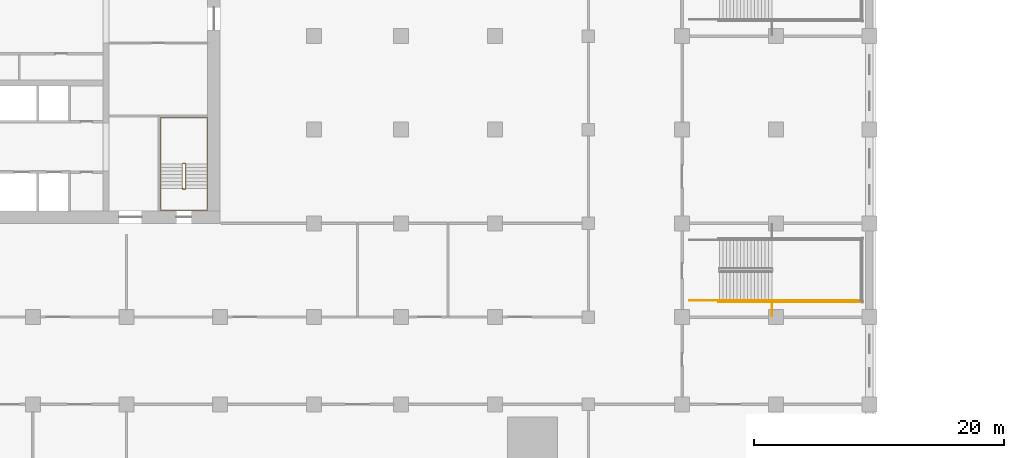
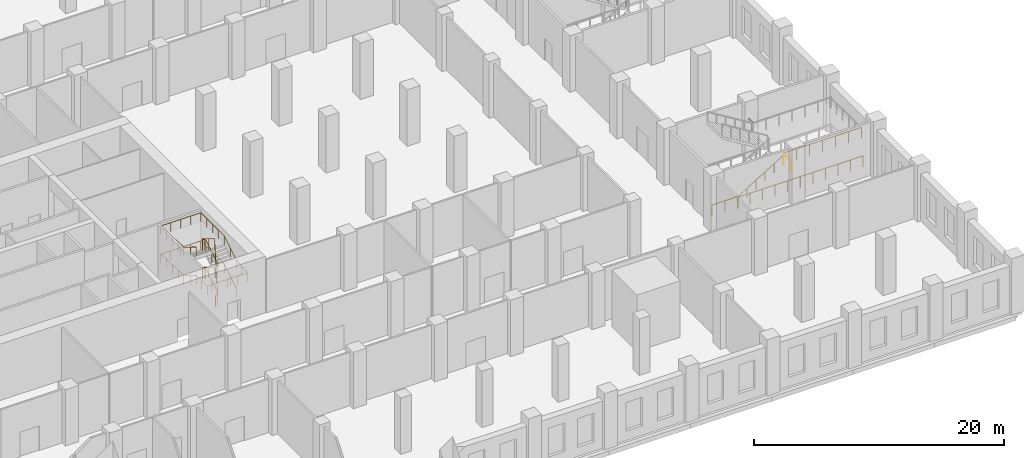
# One storey, part 21 of 25: 7 railings.
"""IFC4 building model written with IfcOpenShell, lengths in metres."""

import ifcopenshell
import ifcopenshell.guid

model = None  # the IFC model being written
_history = None  # IfcOwnerHistory: only IFC2X3 demands one
_inside = {}  # id of a spatial element -> (the spatial element, [elements in it])
_under = {}  # id of a project, library or spatial element -> (it, [spatial elements below it])
_declared = {}  # id of a project -> (the project, [libraries it declares])
_typed = {}  # id of a type object -> (the type object, [elements of that type])
_made_of = {}  # id of a material, layer set ... -> (it, [elements and type objects made of it])


def new_model(schema):
    """Start an empty IFC model of exactly this schema.

    Asked for "IFC4X3", IfcOpenShell would pick the latest addendum, in which some entities
    have other attributes; the version numbers below select the first issue.
    IFC2X3 requires an IfcOwnerHistory on every rooted entity: one is made here for all.
    """
    global model, _history
    if schema == "IFC4X3":
        model = ifcopenshell.file(schema_version=(4, 3, 0, 0))
    else:
        model = ifcopenshell.file(schema=schema)
    _inside.clear()
    _under.clear()
    _declared.clear()
    _typed.clear()
    _made_of.clear()
    _history = None
    if model.schema == "IFC2X3":
        org = make("IfcOrganization", Name="unknown")
        user = make(
            "IfcPersonAndOrganization",
            ThePerson=make("IfcPerson", FamilyName="unknown"),
            TheOrganization=org,
        )
        app = make(
            "IfcApplication",
            ApplicationDeveloper=org,
            Version="unknown",
            ApplicationFullName="unknown",
            ApplicationIdentifier="unknown",
        )
        _history = make(
            "IfcOwnerHistory",
            OwningUser=user,
            OwningApplication=app,
            ChangeAction="ADDED",
            CreationDate=0,
        )
    return model


def make(cls, **values):
    """One entity of the class cls with the attributes given. An attribute that is None is left unset."""
    return model.create_entity(
        cls, **{name: value for name, value in values.items() if value is not None}
    )


def rooted(cls, **values):
    """An entity with a GlobalId (a new one), such as an element, a storey or a relation."""
    return make(cls, GlobalId=ifcopenshell.guid.new(), OwnerHistory=_history, **values)


def si_unit(unit_type, name, prefix=None):
    """IfcSIUnit, for example si_unit("LENGTHUNIT", "METRE", prefix="MILLI")."""
    return make("IfcSIUnit", UnitType=unit_type, Prefix=prefix, Name=name)


def assignment(units):
    """IfcUnitAssignment: the units of a project."""
    return None if units is None else make("IfcUnitAssignment", Units=units)


def point(xyz):
    """IfcCartesianPoint."""
    return None if xyz is None else make("IfcCartesianPoint", Coordinates=xyz)


def direction(xyz):
    """IfcDirection."""
    return None if xyz is None else make("IfcDirection", DirectionRatios=xyz)


def frame(location, z_axis=None, x_axis=None):
    """IfcAxis2Placement3D, a coordinate frame: its origin and axes. An axis left out is left unset."""
    return make(
        "IfcAxis2Placement3D",
        Location=point(location),
        Axis=direction(z_axis),
        RefDirection=direction(x_axis),
    )


def frame_2d(location, x_axis=None):
    """IfcAxis2Placement2D, a coordinate frame in the plane: its origin and x axis."""
    return make(
        "IfcAxis2Placement2D", Location=point(location), RefDirection=direction(x_axis)
    )


def origin():
    """The frame at (0, 0, 0) with its axes left unset."""
    return frame((0.0, 0.0, 0.0))


def origin_2d():
    """The frame at (0, 0) in the plane with its x axis left unset."""
    return frame_2d((0.0, 0.0))


def place(relative_to, where):
    """IfcLocalPlacement: puts the frame where relative to a parent placement (None: the world)."""
    return make(
        "IfcLocalPlacement", PlacementRelTo=relative_to, RelativePlacement=where
    )


def context(
    kind, dimensions, precision=None, world=None, true_north=None, identifier=None
):
    """IfcGeometricRepresentationContext, for example the 3D "Model" context."""
    return make(
        "IfcGeometricRepresentationContext",
        ContextIdentifier=identifier,
        ContextType=kind,
        CoordinateSpaceDimension=dimensions,
        Precision=precision,
        WorldCoordinateSystem=world,
        TrueNorth=true_north,
    )


def subcontext(parent, identifier, kind, view, scale=None):
    """IfcGeometricRepresentationSubContext, for example "Body" below "Model"."""
    return make(
        "IfcGeometricRepresentationSubContext",
        ContextIdentifier=identifier,
        ContextType=kind,
        ParentContext=parent,
        TargetScale=scale,
        TargetView=view,
    )


def project(units=None, contexts=None):
    """IfcProject with its units and contexts."""
    return rooted(
        "IfcProject",
        Name="project",
        RepresentationContexts=contexts,
        UnitsInContext=assignment(units),
    )


def spatial(cls, under=None, at=None, **own):
    """A site, building, storey or space (cls), placed at a placement, below another one or the project."""
    s = rooted(cls, ObjectPlacement=at, **own)
    if under is not None:
        _under.setdefault(under.id(), (under, []))[1].append(s)
    return s


def profile(cls, at=None, kind="AREA", **sizes):
    """A parametric profile (cls). Its sizes go by their IFC names, for example OverallWidth=200.0."""
    return make(cls, ProfileType=kind, Position=at, **sizes)


def circle(**sizes):
    """IfcCircleProfileDef."""
    return profile("IfcCircleProfileDef", **sizes)


def extrude(swept, where, along, depth):
    """IfcExtrudedAreaSolid: the profile swept, set in the frame where, extruded along a direction by depth."""
    return make(
        "IfcExtrudedAreaSolid",
        SweptArea=swept,
        Position=where,
        ExtrudedDirection=direction(along),
        Depth=depth,
    )


def shape(context_of_items, identifier, shape_type, items):
    """IfcShapeRepresentation: the items that make up one representation, for example the "Body"."""
    return make(
        "IfcShapeRepresentation",
        ContextOfItems=context_of_items,
        RepresentationIdentifier=identifier,
        RepresentationType=shape_type,
        Items=items,
    )


def material(Name=None, Category=None):
    """IfcMaterial."""
    return make("IfcMaterial", Name=Name, Category=Category)


def made_of(thing, what):
    """Note that an element or type object is made of a material, layer set ...; save() writes the relation."""
    if what is not None:
        _made_of.setdefault(what.id(), (what, []))[1].append(thing)
    return thing


def type_object(cls, material=None, **own):
    """A type object (cls), such as IfcWallType, which elements share."""
    return made_of(rooted(cls, **own), material)


def element(
    cls,
    number,
    at=None,
    inside=None,
    cuts=None,
    type_object=None,
    material=None,
    context=None,
    identifier="Body",
    shape_type=None,
    held_by="IfcProductDefinitionShape",
    body=None,
    shapes=None,
    **own,
):
    """One element of the class cls, such as IfcWall. Its Tag is "e" and its number.

    at: its placement. inside: the storey or other place that contains it. cuts: it is an
    opening in that element (IfcRelVoidsElement). A single representation is given by context,
    identifier, shape_type and body (its items); several are given by shapes. held_by: the class
    of the entity that holds the representations. save() writes the other relations.
    """
    e = rooted(cls, Tag="e%d" % number, ObjectPlacement=at, **own)
    if body is not None:
        shapes = [shape(context, identifier, shape_type, body)]
    if shapes is not None:
        e.Representation = make(held_by, Representations=shapes)
    if inside is not None:
        _inside.setdefault(inside.id(), (inside, []))[1].append(e)
    if cuts is not None:
        rooted(
            "IfcRelVoidsElement", RelatingBuildingElement=cuts, RelatedOpeningElement=e
        )
    if type_object is not None:
        _typed.setdefault(type_object.id(), (type_object, []))[1].append(e)
    return made_of(e, material)


def aggregate(whole, parts):
    """IfcRelAggregates: a whole, such as a stair, and the parts it consists of."""
    return rooted("IfcRelAggregates", RelatingObject=whole, RelatedObjects=parts)


def save(model, path):
    """Write the relations noted so far, then the file.

    IfcRelAggregates (storeys below a building ...), IfcRelContainedInSpatialStructure (elements
    in a storey), IfcRelDefinesByType, IfcRelAssociatesMaterial and IfcRelDeclares: one each for
    every whole, place, type object, material and project.
    """
    for whole, parts in _under.values():
        aggregate(whole, parts)
    for where, things in _inside.values():
        rooted(
            "IfcRelContainedInSpatialStructure",
            RelatedElements=things,
            RelatingStructure=where,
        )
    for kind, things in _typed.values():
        rooted("IfcRelDefinesByType", RelatedObjects=things, RelatingType=kind)
    for what, things in _made_of.values():
        rooted("IfcRelAssociatesMaterial", RelatedObjects=things, RelatingMaterial=what)
    for by, libraries in _declared.values():
        rooted("IfcRelDeclares", RelatingContext=by, RelatedDefinitions=libraries)
    model.write(path)


model = new_model("IFC4")

# Units and contexts
model_context = context("Model", 3, precision=1e-05, world=origin(), true_north=direction((0.0, 1.0)))
body_context = subcontext(model_context, "Body", "Model", "MODEL_VIEW")
ifc_project = project(units=[si_unit("LENGTHUNIT", "METRE"), si_unit("AREAUNIT", "SQUARE_METRE"), si_unit("VOLUMEUNIT", "CUBIC_METRE"), si_unit("PLANEANGLEUNIT", "RADIAN"), si_unit("MASSUNIT", "GRAM", prefix="KILO")], contexts=[model_context])

# Site, building, storey
site_placement = place(None, origin())
site = spatial("IfcSite", under=ifc_project, at=site_placement, CompositionType="ELEMENT")
building_placement = place(site_placement, origin())
building = spatial("IfcBuilding", under=site, at=building_placement, Name="Tamorin Gate", CompositionType="ELEMENT")
storey_placement = place(building_placement, frame((0.0, 0.0, 23.5)))
storey = spatial("IfcBuildingStorey", under=building, at=storey_placement, Name="L04", CompositionType="ELEMENT", Elevation=23.5)

# Railings
ifc_material_1 = material(Name="Steel", Category="steel")
railing_type_1 = type_object("IfcRailingType", Name="Podium guard 1100", PredefinedType="GUARDRAIL", material=ifc_material_1)
railing_1_placement = place(storey_placement, frame((104.199951171875, 53.824951171875, 2.75)))
element("IfcRailing", 1, at=railing_1_placement, inside=storey, type_object=railing_type_1, Name="L04 PS3 stair guard 3", PredefinedType="GUARDRAIL", context=body_context, shape_type="SweptSolid", body=[
    extrude(circle(Radius=0.02392578125, at=origin_2d()), frame((0.0, 0.0, 1.076171875), z_axis=(1.0, 0.0, 0.0), x_axis=(0.0, 1.0, 0.0)), (0.0, 0.0, 1.0), 7.199951171875),
    extrude(circle(Radius=0.02099609375, at=origin_2d()), origin(), (0.0, 0.0, 1.0), 1.052001953125),
    extrude(circle(Radius=0.02099609375, at=origin_2d()), frame((1.199951171875, 0.0, 0.0)), (0.0, 0.0, 1.0), 1.052001953125),
    extrude(circle(Radius=0.02099609375, at=origin_2d()), frame((2.39990234375, 0.0, 0.0)), (0.0, 0.0, 1.0), 1.052001953125),
    extrude(circle(Radius=0.02099609375, at=origin_2d()), frame((3.60009765625, 0.0, 0.0)), (0.0, 0.0, 1.0), 1.052001953125),
    extrude(circle(Radius=0.02099609375, at=origin_2d()), frame((4.800048828125, 0.0, 0.0)), (0.0, 0.0, 1.0), 1.052001953125),
    extrude(circle(Radius=0.02099609375, at=origin_2d()), frame((6.0, 0.0, 0.0)), (0.0, 0.0, 1.0), 1.052001953125),
    extrude(circle(Radius=0.02099609375, at=origin_2d()), frame((7.199951171875, 0.0, 0.0)), (0.0, 0.0, 1.0), 1.052001953125),
])
railing_2_placement = place(storey_placement, frame((97.60009765625, 53.824951171875, 0.0)))
element("IfcRailing", 2, at=railing_2_placement, inside=storey, type_object=railing_type_1, Name="L04 PS3 stair guard 8", PredefinedType="GUARDRAIL", context=body_context, shape_type="SweptSolid", body=[
    extrude(circle(Radius=0.02392578125, at=origin_2d()), frame((0.0, 0.0, 1.076171875), z_axis=(1.0, 0.0, 0.0), x_axis=(0.0, 1.0, 0.0)), (0.0, 0.0, 1.0), 2.39990234375),
    extrude(circle(Radius=0.02099609375, at=origin_2d()), origin(), (0.0, 0.0, 1.0), 1.052001953125),
    extrude(circle(Radius=0.02099609375, at=origin_2d()), frame((1.199951171875, 0.0, 0.0)), (0.0, 0.0, 1.0), 1.052001953125),
    extrude(circle(Radius=0.02099609375, at=origin_2d()), frame((2.39990234375, 0.0, 0.0)), (0.0, 0.0, 1.0), 1.052001953125),
])
railing_3_placement = place(storey_placement, frame((99.89990234375, 53.72509765625, 0.0)))
element("IfcRailing", 3, at=railing_3_placement, inside=storey, type_object=railing_type_1, Name="L04 PS3 stair guard 10", PredefinedType="GUARDRAIL", context=body_context, shape_type="SweptSolid", body=[
    extrude(circle(Radius=0.02392578125, at=origin_2d()), frame((0.0, 0.0, 1.076171875), z_axis=(1.0, 0.0, 0.0), x_axis=(0.0, 1.0, 0.0)), (0.0, 0.0, 1.0), 11.60009765625),
    extrude(circle(Radius=0.02099609375, at=origin_2d()), origin(), (0.0, 0.0, 1.0), 1.052001953125),
    extrude(circle(Radius=0.02099609375, at=origin_2d()), frame((1.159912109375, 0.0, 0.0)), (0.0, 0.0, 1.0), 1.052001953125),
    extrude(circle(Radius=0.02099609375, at=origin_2d()), frame((2.320068359375, 0.0, 0.0)), (0.0, 0.0, 1.0), 1.052001953125),
    extrude(circle(Radius=0.02099609375, at=origin_2d()), frame((3.47998046875, 0.0, 0.0)), (0.0, 0.0, 1.0), 1.052001953125),
    extrude(circle(Radius=0.02099609375, at=origin_2d()), frame((4.64013671875, 0.0, 0.0)), (0.0, 0.0, 1.0), 1.052001953125),
    extrude(circle(Radius=0.02099609375, at=origin_2d()), frame((5.800048828125, 0.0, 0.0)), (0.0, 0.0, 1.0), 1.052001953125),
    extrude(circle(Radius=0.02099609375, at=origin_2d()), frame((6.9599609375, 0.0, 0.0)), (0.0, 0.0, 1.0), 1.052001953125),
    extrude(circle(Radius=0.02099609375, at=origin_2d()), frame((8.1201171875, 0.0, 0.0)), (0.0, 0.0, 1.0), 1.052001953125),
    extrude(circle(Radius=0.02099609375, at=origin_2d()), frame((9.280029296875, 0.0, 0.0)), (0.0, 0.0, 1.0), 1.052001953125),
    extrude(circle(Radius=0.02099609375, at=origin_2d()), frame((10.440185546875, 0.0, 0.0)), (0.0, 0.0, 1.0), 1.052001953125),
    extrude(circle(Radius=0.02099609375, at=origin_2d()), frame((11.60009765625, 0.0, 0.0)), (0.0, 0.0, 1.0), 1.052001953125),
])
railing_4_placement = place(storey_placement, frame((104.199951171875, 52.60009765625, 2.75)))
element("IfcRailing", 4, at=railing_4_placement, inside=storey, type_object=railing_type_1, Name="Landing edge guard", PredefinedType="GUARDRAIL", context=body_context, shape_type="SweptSolid", body=[
    extrude(circle(Radius=0.02392578125, at=origin_2d()), frame((0.0, 0.0, 1.076171875), z_axis=(0.0, 1.0, 0.0), x_axis=(-1.0, 0.0, 0.0)), (0.0, 0.0, 1.0), 1.1748046875),
    extrude(circle(Radius=0.02099609375, at=origin_2d()), origin(), (0.0, 0.0, 1.0), 1.052001953125),
    extrude(circle(Radius=0.02099609375, at=origin_2d()), frame((0.0, 1.1748046875, 0.0)), (0.0, 0.0, 1.0), 1.052001953125),
])
railing_type_2 = type_object("IfcRailingType", Name="Podium stair handrail 900", PredefinedType="HANDRAIL", material=ifc_material_1)
railing_5_placement = place(storey_placement, frame((100.0, 53.824951171875, 0.171875)))
element("IfcRailing", 5, at=railing_5_placement, inside=storey, type_object=railing_type_2, Name="L04 PS3 stair handrail 1", PredefinedType="HANDRAIL", context=body_context, shape_type="SweptSolid", body=[
    extrude(circle(Radius=0.02392578125, at=origin_2d()), frame((0.0, 0.0, 0.8759765625), z_axis=(0.852242915053, 0.0, 0.523146264196), x_axis=(0.0, 1.0, 0.0)), (0.0, 0.0, 1.0), 4.92822265625),
    extrude(circle(Radius=0.02099609375, at=origin_2d()), origin(), (0.0, 0.0, 1.0), 0.851806640625),
    extrude(circle(Radius=0.02099609375, at=origin_2d()), frame((0.840087890625, 0.0, 0.515625)), (0.0, 0.0, 1.0), 0.851806640625),
    extrude(circle(Radius=0.02099609375, at=origin_2d()), frame((1.679931640625, 0.0, 1.03125)), (0.0, 0.0, 1.0), 0.851806640625),
    extrude(circle(Radius=0.02099609375, at=origin_2d()), frame((2.52001953125, 0.0, 1.546875)), (0.0, 0.0, 1.0), 0.851806640625),
    extrude(circle(Radius=0.02099609375, at=origin_2d()), frame((3.35986328125, 0.0, 2.0625)), (0.0, 0.0, 1.0), 0.851806640625),
    extrude(circle(Radius=0.02099609375, at=origin_2d()), frame((4.199951171875, 0.0, 2.578125)), (0.0, 0.0, 1.0), 0.851806640625),
])
ifc_material_2 = material(Name="Painted steel balustrade", Category="steel")
railing_type_3 = type_object("IfcRailingType", Name="Stair guard 1100", PredefinedType="GUARDRAIL", material=ifc_material_2)
railing_6_placement = place(storey_placement, frame((57.25, 62.800048828125, 0.171875)))
element("IfcRailing", 6, at=railing_6_placement, inside=storey, type_object=railing_type_3, Name="L04 ST3 stair guard 1", PredefinedType="GUARDRAIL", context=body_context, shape_type="SweptSolid", body=[
    extrude(circle(Radius=0.02392578125, at=origin_2d()), frame((0.0, 0.0, 1.076171875), z_axis=(0.0, 0.852240978134, 0.523149419562), x_axis=(-1.0, 0.0, 0.0)), (0.0, 0.0, 1.0), 2.2998046875),
    extrude(circle(Radius=0.02392578125, at=origin_2d()), frame((0.0, 1.9599609375, 2.279296875), z_axis=(-0.707106781187, 0.707106781187, 0.0), x_axis=(-0.707106781187, -0.707106781187, 0.0)), (0.0, 0.0, 1.0), 0.07080078125),
    extrude(circle(Radius=0.02392578125, at=origin_2d()), frame((-0.050048828125, 2.010009765625, 2.279296875), z_axis=(-1.0, 0.0, 0.0), x_axis=(0.0, -1.0, 0.0)), (0.0, 0.0, 1.0), 0.199951171875),
    extrude(circle(Radius=0.02392578125, at=origin_2d()), frame((-0.25, 2.010009765625, 2.279296875), z_axis=(-0.269255725606, -0.269255725606, 0.92466356501), x_axis=(0.707106781187, -0.707106781187, 0.0)), (0.0, 0.0, 1.0), 0.185791015625),
    extrude(circle(Radius=0.02392578125, at=origin_2d()), frame((-0.300048828125, 1.9599609375, 2.451171875), z_axis=(0.0, -0.852240978134, 0.523149419562), x_axis=(1.0, 0.0, 0.0)), (0.0, 0.0, 1.0), 2.2998046875),
    extrude(circle(Radius=0.02392578125, at=origin_2d()), frame((-0.300048828125, 0.0, 3.654296875), z_axis=(0.98054382908, -0.196300278283, 0.0), x_axis=(0.196300278283, 0.98054382908, 0.0)), (0.0, 0.0, 1.0), 0.2548828125),
    extrude(circle(Radius=0.02392578125, at=origin_2d()), frame((-0.050048828125, -0.050048828125, 3.654296875), z_axis=(-1.0, 0.0, 0.0), x_axis=(0.0, -1.0, 0.0)), (0.0, 0.0, 1.0), 0.199951171875),
    extrude(circle(Radius=0.02392578125, at=origin_2d()), frame((-0.25, -0.050048828125, 3.654296875), z_axis=(0.81305262559, 0.162769324459, 0.558973680093), x_axis=(-0.196300278283, 0.98054382908, 0.0)), (0.0, 0.0, 1.0), 0.307373046875),
    extrude(circle(Radius=0.02392578125, at=origin_2d()), frame((0.0, 0.0, 3.826171875), z_axis=(0.0, 0.852240978134, 0.523149419562), x_axis=(-1.0, 0.0, 0.0)), (0.0, 0.0, 1.0), 2.2998046875),
    extrude(circle(Radius=0.02392578125, at=origin_2d()), frame((0.0, 1.9599609375, 5.029296875), z_axis=(-0.707106781187, 0.707106781187, 0.0), x_axis=(-0.707106781187, -0.707106781187, 0.0)), (0.0, 0.0, 1.0), 0.07080078125),
    extrude(circle(Radius=0.02392578125, at=origin_2d()), frame((-0.050048828125, 2.010009765625, 5.029296875), z_axis=(-1.0, 0.0, 0.0), x_axis=(0.0, -1.0, 0.0)), (0.0, 0.0, 1.0), 0.199951171875),
    extrude(circle(Radius=0.02392578125, at=origin_2d()), frame((-0.25, 2.010009765625, 5.029296875), z_axis=(-0.269255725606, -0.269255725606, 0.92466356501), x_axis=(0.707106781187, -0.707106781187, 0.0)), (0.0, 0.0, 1.0), 0.185791015625),
    extrude(circle(Radius=0.02392578125, at=origin_2d()), frame((-0.300048828125, 1.9599609375, 5.201171875), z_axis=(0.0, -0.852240978134, 0.523149419562), x_axis=(1.0, 0.0, 0.0)), (0.0, 0.0, 1.0), 2.2998046875),
    extrude(circle(Radius=0.02392578125, at=origin_2d()), frame((-0.300048828125, 0.0, 6.404296875), z_axis=(0.045405784895, -0.009090025296, -0.998927267692), x_axis=(0.196300278283, 0.98054382908, 0.0)), (0.0, 0.0, 1.0), 5.505859375),
    extrude(circle(Radius=0.02392578125, at=origin_2d()), frame((-0.050048828125, -0.050048828125, 0.904296875), z_axis=(-1.0, 0.0, 0.0), x_axis=(0.0, -1.0, 0.0)), (0.0, 0.0, 1.0), 0.199951171875),
    extrude(circle(Radius=0.02099609375, at=origin_2d()), origin(), (0.0, 0.0, 1.0), 1.052001953125),
    extrude(circle(Radius=0.02099609375, at=origin_2d()), frame((0.0, 0.97998046875, 0.6015625)), (0.0, 0.0, 1.0), 1.052001953125),
    extrude(circle(Radius=0.02099609375, at=origin_2d()), frame((0.0, 1.9599609375, 1.203125)), (0.0, 0.0, 1.0), 1.052001953125),
    extrude(circle(Radius=0.02099609375, at=origin_2d()), frame((-0.050048828125, 2.010009765625, 1.203125)), (0.0, 0.0, 1.0), 1.052001953125),
    extrude(circle(Radius=0.02099609375, at=origin_2d()), frame((-0.25, 2.010009765625, 1.203125)), (0.0, 0.0, 1.0), 1.052001953125),
    extrude(circle(Radius=0.02099609375, at=origin_2d()), frame((-0.300048828125, 1.9599609375, 1.375)), (0.0, 0.0, 1.0), 1.052001953125),
    extrude(circle(Radius=0.02099609375, at=origin_2d()), frame((-0.300048828125, 0.97998046875, 1.9765625)), (0.0, 0.0, 1.0), 1.052001953125),
    extrude(circle(Radius=0.02099609375, at=origin_2d()), frame((-0.300048828125, 0.0, 2.578125)), (0.0, 0.0, 1.0), 1.052001953125),
    extrude(circle(Radius=0.02099609375, at=origin_2d()), frame((-0.050048828125, -0.050048828125, 2.578125)), (0.0, 0.0, 1.0), 1.052001953125),
    extrude(circle(Radius=0.02099609375, at=origin_2d()), frame((-0.25, -0.050048828125, 2.578125)), (0.0, 0.0, 1.0), 1.052001953125),
    extrude(circle(Radius=0.02099609375, at=origin_2d()), frame((0.0, 0.0, 2.75)), (0.0, 0.0, 1.0), 1.052001953125),
    extrude(circle(Radius=0.02099609375, at=origin_2d()), frame((0.0, 0.97998046875, 3.3515625)), (0.0, 0.0, 1.0), 1.052001953125),
    extrude(circle(Radius=0.02099609375, at=origin_2d()), frame((0.0, 1.9599609375, 3.953125)), (0.0, 0.0, 1.0), 1.052001953125),
    extrude(circle(Radius=0.02099609375, at=origin_2d()), frame((-0.050048828125, 2.010009765625, 3.953125)), (0.0, 0.0, 1.0), 1.052001953125),
    extrude(circle(Radius=0.02099609375, at=origin_2d()), frame((-0.25, 2.010009765625, 3.953125)), (0.0, 0.0, 1.0), 1.052001953125),
    extrude(circle(Radius=0.02099609375, at=origin_2d()), frame((-0.300048828125, 1.9599609375, 4.125)), (0.0, 0.0, 1.0), 1.052001953125),
    extrude(circle(Radius=0.02099609375, at=origin_2d()), frame((-0.300048828125, 0.97998046875, 4.7265625)), (0.0, 0.0, 1.0), 1.052001953125),
    extrude(circle(Radius=0.02099609375, at=origin_2d()), frame((-0.300048828125, 0.0, 5.328125)), (0.0, 0.0, 1.0), 1.052001953125),
    extrude(circle(Radius=0.02099609375, at=origin_2d()), frame((-0.25, -0.010009765625, 4.22802734375)), (0.0, 0.0, 1.0), 1.052001953125),
    extrude(circle(Radius=0.02099609375, at=origin_2d()), frame((-0.199951171875, -0.02001953125, 3.128173828125)), (0.0, 0.0, 1.0), 1.052001953125),
    extrude(circle(Radius=0.02099609375, at=origin_2d()), frame((-0.150146484375, -0.030029296875, 2.028076171875)), (0.0, 0.0, 1.0), 1.052001953125),
    extrude(circle(Radius=0.02099609375, at=origin_2d()), frame((-0.10009765625, -0.0400390625, 0.92822265625)), (0.0, 0.0, 1.0), 1.052001953125),
    extrude(circle(Radius=0.02099609375, at=origin_2d()), frame((-0.050048828125, -0.050048828125, -0.171875)), (0.0, 0.0, 1.0), 1.052001953125),
    extrude(circle(Radius=0.02099609375, at=origin_2d()), frame((-0.25, -0.050048828125, -0.171875)), (0.0, 0.0, 1.0), 1.052001953125),
])
ifc_material_3 = material(Name="Painted steel handrail", Category="steel")
railing_type_4 = type_object("IfcRailingType", Name="Stair handrail 900", PredefinedType="HANDRAIL", material=ifc_material_3)
railing_7_placement = place(storey_placement, frame((58.949951171875, 62.800048828125, 0.171875)))
element("IfcRailing", 7, at=railing_7_placement, inside=storey, type_object=railing_type_4, Name="L04 ST3 stair handrail 1", PredefinedType="HANDRAIL", context=body_context, shape_type="SweptSolid", body=[
    extrude(circle(Radius=0.02392578125, at=origin_2d()), frame((0.0, 0.0, 0.8759765625), z_axis=(0.0, 0.852240978134, 0.523149419562), x_axis=(-1.0, 0.0, 0.0)), (0.0, 0.0, 1.0), 2.2998046875),
    extrude(circle(Radius=0.02392578125, at=origin_2d()), frame((0.0, 1.9599609375, 2.0791015625), z_axis=(0.0, 1.0, 0.0), x_axis=(-1.0, 0.0, 0.0)), (0.0, 0.0, 1.0), 3.68994140625),
    extrude(circle(Radius=0.02392578125, at=origin_2d()), frame((0.0, 5.64990234375, 2.0791015625), z_axis=(-1.0, 0.0, 0.0), x_axis=(0.0, -1.0, 0.0)), (0.0, 0.0, 1.0), 3.699951171875),
    extrude(circle(Radius=0.02392578125, at=origin_2d()), frame((-3.699951171875, 5.64990234375, 2.0791015625), z_axis=(0.0, -0.998916945045, 0.046528882448), x_axis=(1.0, 0.0, 0.0)), (0.0, 0.0, 1.0), 3.69384765625),
    extrude(circle(Radius=0.02392578125, at=origin_2d()), frame((-3.699951171875, 1.9599609375, 2.2509765625), z_axis=(0.0, -0.852240978134, 0.523149419562), x_axis=(1.0, 0.0, 0.0)), (0.0, 0.0, 1.0), 2.2998046875),
    extrude(circle(Radius=0.02392578125, at=origin_2d()), frame((-3.699951171875, 0.0, 3.4541015625), z_axis=(0.0, -1.0, 0.0), x_axis=(1.0, 0.0, 0.0)), (0.0, 0.0, 1.0), 1.75),
    extrude(circle(Radius=0.02392578125, at=origin_2d()), frame((-3.699951171875, -1.75, 3.4541015625), z_axis=(1.0, 0.0, 0.0), x_axis=(0.0, 1.0, 0.0)), (0.0, 0.0, 1.0), 3.699951171875),
    extrude(circle(Radius=0.02392578125, at=origin_2d()), frame((0.0, -1.75, 3.4541015625), z_axis=(0.0, 0.995211591236, 0.097743995568), x_axis=(-1.0, 0.0, 0.0)), (0.0, 0.0, 1.0), 1.75830078125),
    extrude(circle(Radius=0.02392578125, at=origin_2d()), frame((0.0, 0.0, 3.6259765625), z_axis=(0.0, 0.852240978134, 0.523149419562), x_axis=(-1.0, 0.0, 0.0)), (0.0, 0.0, 1.0), 2.2998046875),
    extrude(circle(Radius=0.02392578125, at=origin_2d()), frame((0.0, 1.9599609375, 4.8291015625), z_axis=(0.0, 1.0, 0.0), x_axis=(-1.0, 0.0, 0.0)), (0.0, 0.0, 1.0), 3.68994140625),
    extrude(circle(Radius=0.02392578125, at=origin_2d()), frame((0.0, 5.64990234375, 4.8291015625), z_axis=(-1.0, 0.0, 0.0), x_axis=(0.0, -1.0, 0.0)), (0.0, 0.0, 1.0), 3.699951171875),
    extrude(circle(Radius=0.02392578125, at=origin_2d()), frame((-3.699951171875, 5.64990234375, 4.8291015625), z_axis=(0.0, -0.998916945045, 0.046528882448), x_axis=(1.0, 0.0, 0.0)), (0.0, 0.0, 1.0), 3.69384765625),
    extrude(circle(Radius=0.02392578125, at=origin_2d()), frame((-3.699951171875, 1.9599609375, 5.0009765625), z_axis=(0.0, -0.852240978134, 0.523149419562), x_axis=(1.0, 0.0, 0.0)), (0.0, 0.0, 1.0), 2.2998046875),
    extrude(circle(Radius=0.02099609375, at=origin_2d()), origin(), (0.0, 0.0, 1.0), 0.851806640625),
    extrude(circle(Radius=0.02099609375, at=origin_2d()), frame((0.0, 0.97998046875, 0.6015625)), (0.0, 0.0, 1.0), 0.851806640625),
    extrude(circle(Radius=0.02099609375, at=origin_2d()), frame((0.0, 1.9599609375, 1.203125)), (0.0, 0.0, 1.0), 0.851806640625),
    extrude(circle(Radius=0.02099609375, at=origin_2d()), frame((0.0, 2.88232421875, 1.203125)), (0.0, 0.0, 1.0), 0.851806640625),
    extrude(circle(Radius=0.02099609375, at=origin_2d()), frame((0.0, 3.804931640625, 1.203125)), (0.0, 0.0, 1.0), 0.851806640625),
    extrude(circle(Radius=0.02099609375, at=origin_2d()), frame((0.0, 4.7275390625, 1.203125)), (0.0, 0.0, 1.0), 0.851806640625),
    extrude(circle(Radius=0.02099609375, at=origin_2d()), frame((0.0, 5.64990234375, 1.203125)), (0.0, 0.0, 1.0), 0.851806640625),
    extrude(circle(Radius=0.02099609375, at=origin_2d()), frame((-0.925048828125, 5.64990234375, 1.203125)), (0.0, 0.0, 1.0), 0.851806640625),
    extrude(circle(Radius=0.02099609375, at=origin_2d()), frame((-1.85009765625, 5.64990234375, 1.203125)), (0.0, 0.0, 1.0), 0.851806640625),
    extrude(circle(Radius=0.02099609375, at=origin_2d()), frame((-2.77490234375, 5.64990234375, 1.203125)), (0.0, 0.0, 1.0), 0.851806640625),
    extrude(circle(Radius=0.02099609375, at=origin_2d()), frame((-3.699951171875, 5.64990234375, 1.203125)), (0.0, 0.0, 1.0), 0.851806640625),
    extrude(circle(Radius=0.02099609375, at=origin_2d()), frame((-3.699951171875, 4.7275390625, 1.24609375)), (0.0, 0.0, 1.0), 0.851806640625),
    extrude(circle(Radius=0.02099609375, at=origin_2d()), frame((-3.699951171875, 3.804931640625, 1.2890625)), (0.0, 0.0, 1.0), 0.851806640625),
    extrude(circle(Radius=0.02099609375, at=origin_2d()), frame((-3.699951171875, 2.88232421875, 1.33203125)), (0.0, 0.0, 1.0), 0.851806640625),
    extrude(circle(Radius=0.02099609375, at=origin_2d()), frame((-3.699951171875, 1.9599609375, 1.375)), (0.0, 0.0, 1.0), 0.851806640625),
    extrude(circle(Radius=0.02099609375, at=origin_2d()), frame((-3.699951171875, 0.97998046875, 1.9765625)), (0.0, 0.0, 1.0), 0.851806640625),
    extrude(circle(Radius=0.02099609375, at=origin_2d()), frame((-3.699951171875, 0.0, 2.578125)), (0.0, 0.0, 1.0), 0.851806640625),
    extrude(circle(Radius=0.02099609375, at=origin_2d()), frame((-3.699951171875, -0.875, 2.578125)), (0.0, 0.0, 1.0), 0.851806640625),
    extrude(circle(Radius=0.02099609375, at=origin_2d()), frame((-3.699951171875, -1.75, 2.578125)), (0.0, 0.0, 1.0), 0.851806640625),
    extrude(circle(Radius=0.02099609375, at=origin_2d()), frame((-2.77490234375, -1.75, 2.578125)), (0.0, 0.0, 1.0), 0.851806640625),
    extrude(circle(Radius=0.02099609375, at=origin_2d()), frame((-1.85009765625, -1.75, 2.578125)), (0.0, 0.0, 1.0), 0.851806640625),
    extrude(circle(Radius=0.02099609375, at=origin_2d()), frame((-0.925048828125, -1.75, 2.578125)), (0.0, 0.0, 1.0), 0.851806640625),
    extrude(circle(Radius=0.02099609375, at=origin_2d()), frame((0.0, -1.75, 2.578125)), (0.0, 0.0, 1.0), 0.851806640625),
    extrude(circle(Radius=0.02099609375, at=origin_2d()), frame((0.0, -0.875, 2.6640625)), (0.0, 0.0, 1.0), 0.851806640625),
    extrude(circle(Radius=0.02099609375, at=origin_2d()), frame((0.0, 0.0, 2.75)), (0.0, 0.0, 1.0), 0.851806640625),
    extrude(circle(Radius=0.02099609375, at=origin_2d()), frame((0.0, 0.97998046875, 3.3515625)), (0.0, 0.0, 1.0), 0.851806640625),
    extrude(circle(Radius=0.02099609375, at=origin_2d()), frame((0.0, 1.9599609375, 3.953125)), (0.0, 0.0, 1.0), 0.851806640625),
    extrude(circle(Radius=0.02099609375, at=origin_2d()), frame((0.0, 2.88232421875, 3.953125)), (0.0, 0.0, 1.0), 0.851806640625),
    extrude(circle(Radius=0.02099609375, at=origin_2d()), frame((0.0, 3.804931640625, 3.953125)), (0.0, 0.0, 1.0), 0.851806640625),
    extrude(circle(Radius=0.02099609375, at=origin_2d()), frame((0.0, 4.7275390625, 3.953125)), (0.0, 0.0, 1.0), 0.851806640625),
    extrude(circle(Radius=0.02099609375, at=origin_2d()), frame((0.0, 5.64990234375, 3.953125)), (0.0, 0.0, 1.0), 0.851806640625),
    extrude(circle(Radius=0.02099609375, at=origin_2d()), frame((-0.925048828125, 5.64990234375, 3.953125)), (0.0, 0.0, 1.0), 0.851806640625),
    extrude(circle(Radius=0.02099609375, at=origin_2d()), frame((-1.85009765625, 5.64990234375, 3.953125)), (0.0, 0.0, 1.0), 0.851806640625),
    extrude(circle(Radius=0.02099609375, at=origin_2d()), frame((-2.77490234375, 5.64990234375, 3.953125)), (0.0, 0.0, 1.0), 0.851806640625),
    extrude(circle(Radius=0.02099609375, at=origin_2d()), frame((-3.699951171875, 5.64990234375, 3.953125)), (0.0, 0.0, 1.0), 0.851806640625),
    extrude(circle(Radius=0.02099609375, at=origin_2d()), frame((-3.699951171875, 4.7275390625, 3.99609375)), (0.0, 0.0, 1.0), 0.851806640625),
    extrude(circle(Radius=0.02099609375, at=origin_2d()), frame((-3.699951171875, 3.804931640625, 4.0390625)), (0.0, 0.0, 1.0), 0.851806640625),
    extrude(circle(Radius=0.02099609375, at=origin_2d()), frame((-3.699951171875, 2.88232421875, 4.08203125)), (0.0, 0.0, 1.0), 0.851806640625),
    extrude(circle(Radius=0.02099609375, at=origin_2d()), frame((-3.699951171875, 1.9599609375, 4.125)), (0.0, 0.0, 1.0), 0.851806640625),
    extrude(circle(Radius=0.02099609375, at=origin_2d()), frame((-3.699951171875, 0.97998046875, 4.7265625)), (0.0, 0.0, 1.0), 0.851806640625),
    extrude(circle(Radius=0.02099609375, at=origin_2d()), frame((-3.699951171875, 0.0, 5.328125)), (0.0, 0.0, 1.0), 0.851806640625),
])

save(model, "model.ifc")
